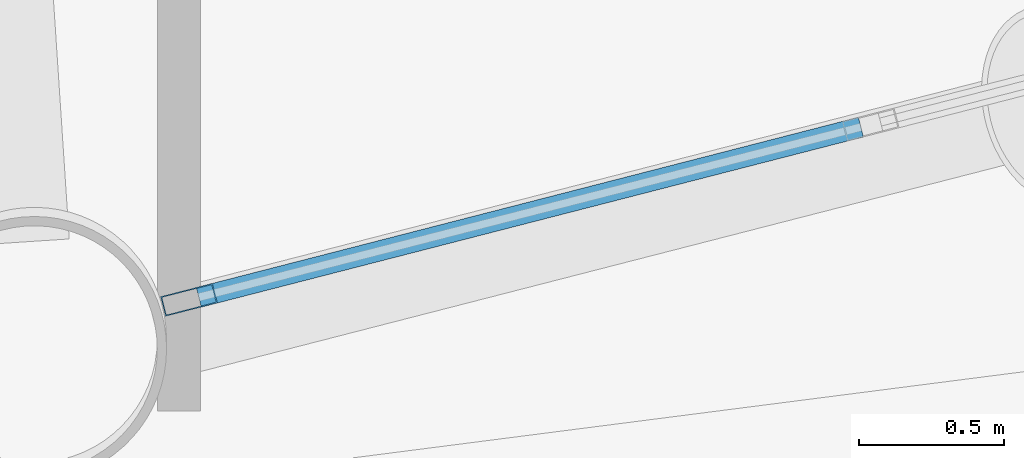
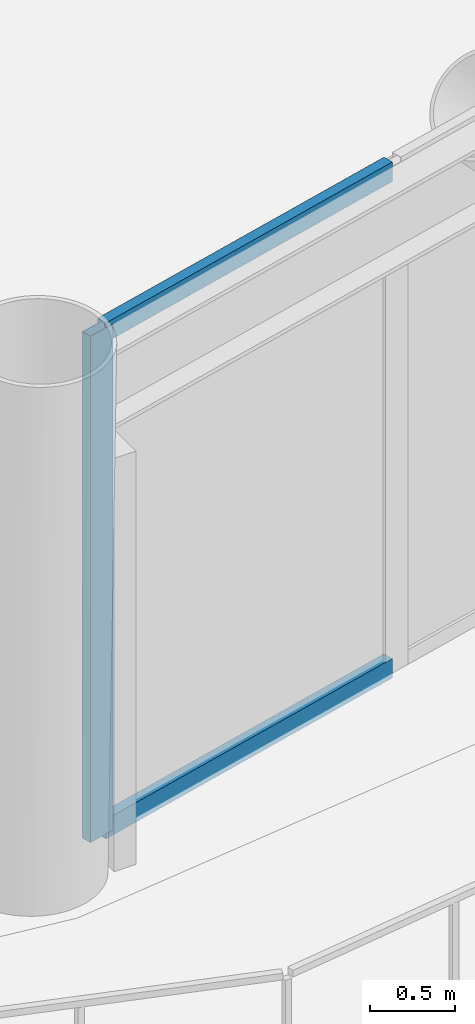
# One storey, part 5 of 25: 3 members, 1 element without a shape of its own.
"""IFC4 building model written with IfcOpenShell, lengths in metres."""

from ifc_helpers import new_model, si_unit, direction, frame, origin, origin_2d, place, context, subcontext, project, spatial, hollow_rectangle, extrude, material, layer, layer_set, material_profile, profile_set, type_object, element, aggregate, save


model = new_model("IFC4")

# Units and contexts
model_context = context("Model", 3, precision=1e-05, world=origin(), true_north=direction((0.0, 1.0)))
body_context = subcontext(model_context, "Body", "Model", "MODEL_VIEW")
ifc_project = project(units=[si_unit("LENGTHUNIT", "METRE"), si_unit("AREAUNIT", "SQUARE_METRE"), si_unit("VOLUMEUNIT", "CUBIC_METRE"), si_unit("PLANEANGLEUNIT", "RADIAN"), si_unit("MASSUNIT", "GRAM", prefix="KILO")], contexts=[model_context])

# Site, building, storey
site_placement = place(None, origin())
site = spatial("IfcSite", under=ifc_project, at=site_placement, CompositionType="ELEMENT")
building_placement = place(site_placement, origin())
building = spatial("IfcBuilding", under=site, at=building_placement, Name="Varnakorn Sky Granary", CompositionType="ELEMENT")
storey_placement = place(building_placement, frame((0.0, 0.0, 54.89990234375)))
storey = spatial("IfcBuildingStorey", under=building, at=storey_placement, Name="L13", CompositionType="ELEMENT", Elevation=54.89990234375)

# Curtain wall, members
ifc_material = material(Name="Anodised Bronze Aluminium Alloy 6063-T6", Category="aluminium")
ifc_layer = layer(ifc_material, 0.18994140625, Name="Anodised Bronze Aluminium Alloy 6063-T6")
ifc_layer_set = layer_set([ifc_layer], Name="Anodised Bronze Aluminium Alloy 6063-T6")
curtain_wall_type = type_object("IfcCurtainWallType", Name="CW-FRM-1", PredefinedType="USERDEFINED", material=ifc_layer_set)
curtain_wall_placement = place(storey_placement, origin())
curtain_wall = element("IfcCurtainWall", 1, at=curtain_wall_placement, inside=storey, type_object=curtain_wall_type, Name="Unitised Curtain Wall CW3 CW-L13-B10", ObjectType="CURTAIN WALL", PredefinedType="USERDEFINED")
ifc_material_profile_1 = material_profile(ifc_material, hollow_rectangle(XDim=0.070068359375, YDim=0.18505859375, WallThickness=0.00390625, at=origin_2d()), Name="ALU MULL 70x185")
ifc_profile_set_1 = profile_set([ifc_material_profile_1], Name="Anodised Bronze Aluminium Alloy 6063-T6")
member_type_1 = type_object("IfcMemberType", Name="CW-FRM-1-MULL", PredefinedType="MULLION", material=ifc_profile_set_1)
member_1_placement = place(storey_placement, frame((-0.96533203125, -19.24951171875, 0.0), z_axis=(0.0, 0.0, 1.0), x_axis=(0.248955770225, -0.96851485506, 0.0)))
member_1 = element("IfcMember", 2, at=member_1_placement, type_object=member_type_1, Name="CW3 mullion 5", PredefinedType="MULLION", context=body_context, shape_type="SweptSolid", body=[
    extrude(hollow_rectangle(XDim=0.070068359375, YDim=0.18505859375, WallThickness=0.00390625, at=origin_2d()), origin(), (0.0, 0.0, 1.0), 3.64013671875),
])
ifc_material_profile_2 = material_profile(ifc_material, hollow_rectangle(XDim=0.070068359375, YDim=0.139892578125, WallThickness=0.00341796875, at=origin_2d()), Name="ALU TRAN 70x140")
ifc_profile_set_2 = profile_set([ifc_material_profile_2], Name="Anodised Bronze Aluminium Alloy 6063-T6")
member_type_2 = type_object("IfcMemberType", Name="CW-FRM-1-TRAN", PredefinedType="USERDEFINED", material=ifc_profile_set_2)
member_2_placement = place(storey_placement, frame((1.3564453125, -18.65283203125, 0.03515625), z_axis=(-0.968510023727, -0.248974564845, 0.0), x_axis=(0.248974564845, -0.968510023727, 0.0)))
member_2 = element("IfcMember", 3, at=member_2_placement, type_object=member_type_2, Name="CW3 transom 4.1", ObjectType="TRANSOM", PredefinedType="USERDEFINED", context=body_context, shape_type="SweptSolid", body=[
    extrude(hollow_rectangle(XDim=0.070068359375, YDim=0.139892578125, WallThickness=0.00341796875, at=origin_2d()), origin(), (0.0, 0.0, 1.0), 2.3623046875),
])
member_3_placement = place(storey_placement, frame((1.3564453125, -18.65283203125, 3.60498046875), z_axis=(-0.968510023727, -0.248974564845, 0.0), x_axis=(0.248974564845, -0.968510023727, 0.0)))
member_3 = element("IfcMember", 4, at=member_3_placement, type_object=member_type_2, Name="CW3 transom 4.2", ObjectType="TRANSOM", PredefinedType="USERDEFINED", context=body_context, shape_type="SweptSolid", body=[
    extrude(hollow_rectangle(XDim=0.070068359375, YDim=0.139892578125, WallThickness=0.00341796875, at=origin_2d()), origin(), (0.0, 0.0, 1.0), 2.3623046875),
])
aggregate(curtain_wall, [member_1, member_2, member_3])

save(model, "model.ifc")
